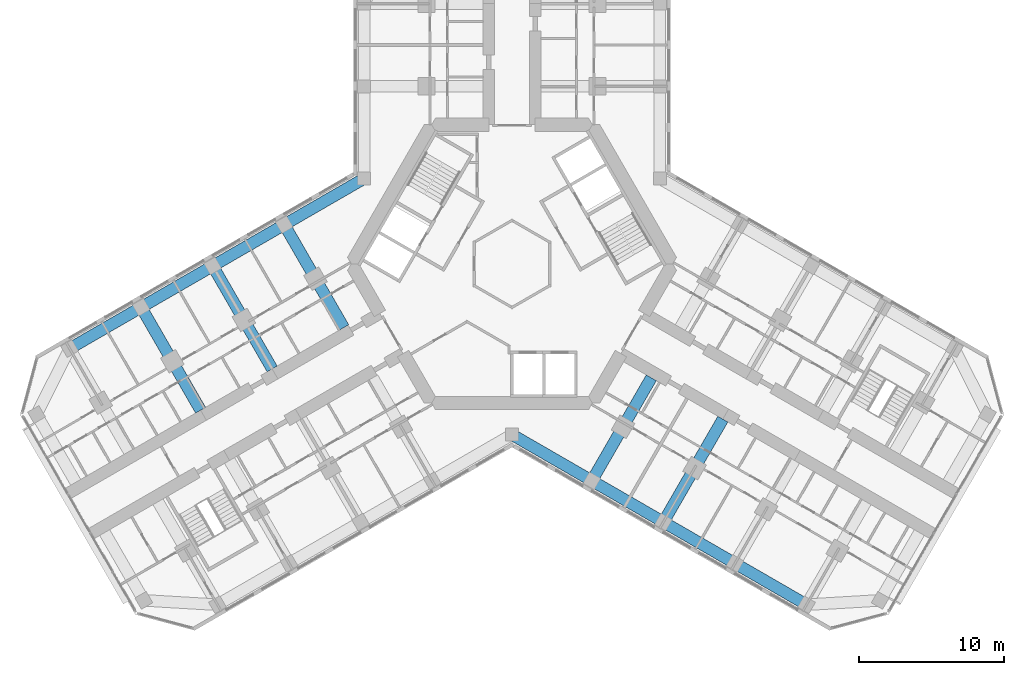
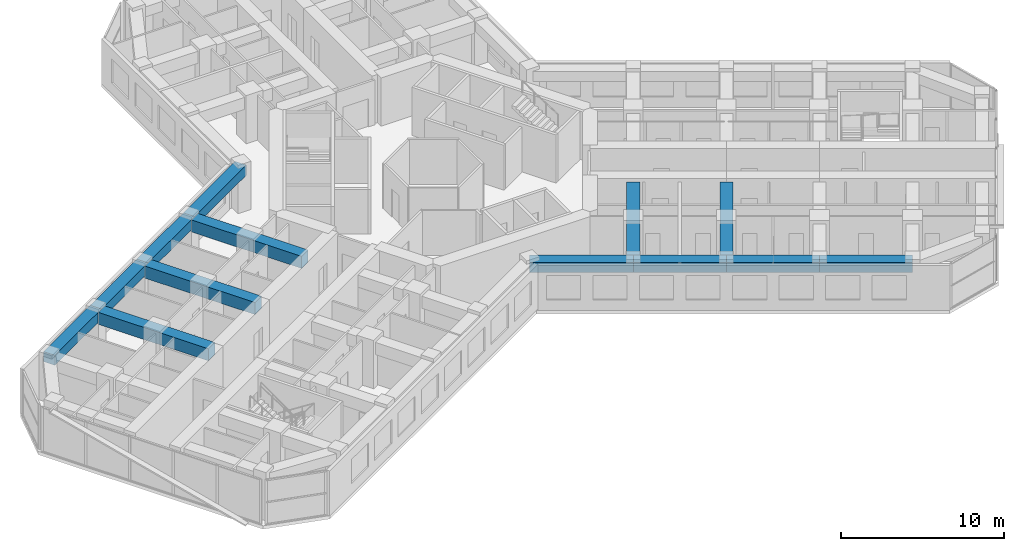
# One storey, part 4 of 19: 13 beams.
"""IFC4 building model written with IfcOpenShell, lengths in metres."""

from ifc_helpers import new_model, si_unit, direction, frame, origin, origin_2d, place, context, subcontext, project, spatial, rectangle, extrude, material, material_profile, profile_set, type_object, element, save


model = new_model("IFC4")

# Units and contexts
model_context = context("Model", 3, precision=1e-05, world=origin(), true_north=direction((0.0, 1.0)))
body_context = subcontext(model_context, "Body", "Model", "MODEL_VIEW")
ifc_project = project(units=[si_unit("LENGTHUNIT", "METRE"), si_unit("AREAUNIT", "SQUARE_METRE"), si_unit("VOLUMEUNIT", "CUBIC_METRE"), si_unit("PLANEANGLEUNIT", "RADIAN"), si_unit("MASSUNIT", "GRAM", prefix="KILO")], contexts=[model_context])

# Site, building, storey
site_placement = place(None, origin())
site = spatial("IfcSite", under=ifc_project, at=site_placement, CompositionType="ELEMENT")
building_placement = place(site_placement, origin())
building = spatial("IfcBuilding", under=site, at=building_placement, Name="Kosmar Iwan School Tower", CompositionType="ELEMENT")
storey_placement = place(building_placement, frame((0.0, 0.0, 158.0)))
storey = spatial("IfcBuildingStorey", under=building, at=storey_placement, Name="L39", CompositionType="ELEMENT", Elevation=158.0)

# Beams
ifc_material_1 = material(Name="Concrete C50/60", Category="concrete")
ifc_material_profile_1 = material_profile(ifc_material_1, rectangle(XDim=0.800048828125, YDim=0.75, at=origin_2d()), Name="RC 800x750")
ifc_profile_set_1 = profile_set([ifc_material_profile_1], Name="Concrete C50/60")
beam_type_1 = type_object("IfcBeamType", Name="RC edge beam 800x750", PredefinedType="BEAM", material=ifc_profile_set_1)
beam_1_placement = place(storey_placement, frame((-10.199951171875, 5.888916015625, 2.97509765625), z_axis=(-0.866030912664, -0.49999045822, 0.0), x_axis=(0.49999045822, -0.866030912664, 0.0)))
element("IfcBeam", 1, at=beam_1_placement, inside=storey, type_object=beam_type_1, Name="Edge beam BR1", PredefinedType="BEAM", context=body_context, shape_type="SweptSolid", body=[
    extrude(rectangle(XDim=0.800048828125, YDim=0.75, at=origin_2d()), origin(), (0.0, 0.0, 1.0), 6.36083984375),
])
beam_2_placement = place(storey_placement, frame((-15.708740234375, 2.70849609375, 2.97509765625), z_axis=(-0.866025820012, -0.499999279071, 0.0), x_axis=(0.499999279071, -0.866025820012, 0.0)))
element("IfcBeam", 2, at=beam_2_placement, inside=storey, type_object=beam_type_1, Name="Edge beam BR2", PredefinedType="BEAM", context=body_context, shape_type="SweptSolid", body=[
    extrude(rectangle(XDim=0.800048828125, YDim=0.75, at=origin_2d()), origin(), (0.0, 0.0, 1.0), 5.7001953125),
])
for number, where, z_axis, x_axis, name in (
    (3, (-20.645263671875, -0.1416015625, 2.97509765625), (-0.866033658841, -0.49998570155, 0.0), (0.49998570155, -0.866033658841, 0.0), "Edge beam BR3"),
    (4, (-25.58154296875, -2.991455078125, 2.97509765625), (-0.866015111908, -0.50001782563, 0.0), (0.50001782563, -0.866015111908, 0.0), "Edge beam BR4"),
):
    element("IfcBeam", number, at=place(storey_placement, frame(where, z_axis=z_axis, x_axis=x_axis)), inside=storey, type_object=beam_type_1, Name=name, PredefinedType="BEAM", context=body_context, shape_type="SweptSolid", body=[
        extrude(rectangle(XDim=0.800048828125, YDim=0.75, at=origin_2d()), origin(), (0.0, 0.0, 1.0), 5.699951171875),
    ])
beam_3_placement = place(storey_placement, frame((0.0, -11.77783203125, 2.97509765625), z_axis=(0.866014293216, -0.500019243575, 0.0), x_axis=(0.500019243575, 0.866014293216, 0.0)))
element("IfcBeam", 5, at=beam_3_placement, inside=storey, type_object=beam_type_1, Name="Edge beam CR1", PredefinedType="BEAM", context=body_context, shape_type="SweptSolid", body=[
    extrude(rectangle(XDim=0.800048828125, YDim=0.75, at=origin_2d()), origin(), (0.0, 0.0, 1.0), 6.361083984375),
])
beam_4_placement = place(storey_placement, frame((5.5087890625, -14.95849609375, 2.97509765625), z_axis=(0.866033658841, -0.49998570155, 0.0), x_axis=(0.49998570155, 0.866033658841, 0.0)))
element("IfcBeam", 6, at=beam_4_placement, inside=storey, type_object=beam_type_1, Name="Edge beam CR2", PredefinedType="BEAM", context=body_context, shape_type="SweptSolid", body=[
    extrude(rectangle(XDim=0.800048828125, YDim=0.75, at=origin_2d()), origin(), (0.0, 0.0, 1.0), 5.699951171875),
])
beam_5_placement = place(storey_placement, frame((10.445068359375, -17.808349609375, 2.97509765625), z_axis=(0.866025820012, -0.499999279071, 0.0), x_axis=(0.499999279071, 0.866025820012, 0.0)))
element("IfcBeam", 7, at=beam_5_placement, inside=storey, type_object=beam_type_1, Name="Edge beam CR3", PredefinedType="BEAM", context=body_context, shape_type="SweptSolid", body=[
    extrude(rectangle(XDim=0.800048828125, YDim=0.75, at=origin_2d()), origin(), (0.0, 0.0, 1.0), 5.7001953125),
])
beam_6_placement = place(storey_placement, frame((15.381591796875, -20.658447265625, 2.97509765625), z_axis=(0.866015111908, -0.50001782563, 0.0), x_axis=(0.50001782563, 0.866015111908, 0.0)))
element("IfcBeam", 8, at=beam_6_placement, inside=storey, type_object=beam_type_1, Name="Edge beam CR4", PredefinedType="BEAM", context=body_context, shape_type="SweptSolid", body=[
    extrude(rectangle(XDim=0.800048828125, YDim=0.75, at=origin_2d()), origin(), (0.0, 0.0, 1.0), 5.699951171875),
])
ifc_material_2 = material(Name="Concrete C50/60", Category="concrete")
ifc_material_profile_2 = material_profile(ifc_material_2, rectangle(XDim=0.800048828125, YDim=0.89990234375, at=origin_2d()), Name="RC 800x900")
ifc_profile_set_2 = profile_set([ifc_material_profile_2], Name="Concrete C50/60")
beam_type_2 = type_object("IfcBeamType", Name="RC transverse beam 800x900", PredefinedType="BEAM", material=ifc_profile_set_2)
for number, where, z_axis, x_axis, name in (
    (9, (-15.708740234375, 2.70849609375, 2.89990234375), (0.499978459874, -0.866037839625, 0.0), (0.866037839625, 0.499978459874, 0.0), "Transverse beam BR1"),
    (10, (-20.645263671875, -0.1416015625, 2.89990234375), (0.500013681986, -0.866017504342, 0.0), (0.866017504342, 0.500013681986, 0.0), "Transverse beam BR2"),
):
    element("IfcBeam", number, at=place(storey_placement, frame(where, z_axis=z_axis, x_axis=x_axis)), inside=storey, type_object=beam_type_2, Name=name, PredefinedType="BEAM", context=body_context, shape_type="SweptSolid", body=[
        extrude(rectangle(XDim=0.800048828125, YDim=0.89990234375, at=origin_2d()), origin(), (0.0, 0.0, 1.0), 8.199951171875),
    ])
for number, where, z_axis, x_axis, name in (
    (11, (-25.58154296875, -2.991455078125, 2.89990234375), (0.500000789788, -0.8660249478, 0.0), (0.8660249478, 0.500000789788, 0.0), "Transverse beam BR3"),
    (12, (5.5087890625, -14.95849609375, 2.89990234375), (0.500000789788, 0.8660249478, 0.0), (-0.8660249478, 0.500000789788, 0.0), "Transverse beam CR1"),
):
    element("IfcBeam", number, at=place(storey_placement, frame(where, z_axis=z_axis, x_axis=x_axis)), inside=storey, type_object=beam_type_2, Name=name, PredefinedType="BEAM", context=body_context, shape_type="SweptSolid", body=[
        extrude(rectangle(XDim=0.800048828125, YDim=0.89990234375, at=origin_2d()), origin(), (0.0, 0.0, 1.0), 8.2001953125),
    ])
beam_7_placement = place(storey_placement, frame((10.445068359375, -17.808349609375, 2.89990234375), z_axis=(0.500013681986, 0.866017504342, 0.0), x_axis=(-0.866017504342, 0.500013681986, 0.0)))
element("IfcBeam", 13, at=beam_7_placement, inside=storey, type_object=beam_type_2, Name="Transverse beam CR2", PredefinedType="BEAM", context=body_context, shape_type="SweptSolid", body=[
    extrude(rectangle(XDim=0.800048828125, YDim=0.89990234375, at=origin_2d()), origin(), (0.0, 0.0, 1.0), 8.199951171875),
])

save(model, "model.ifc")
